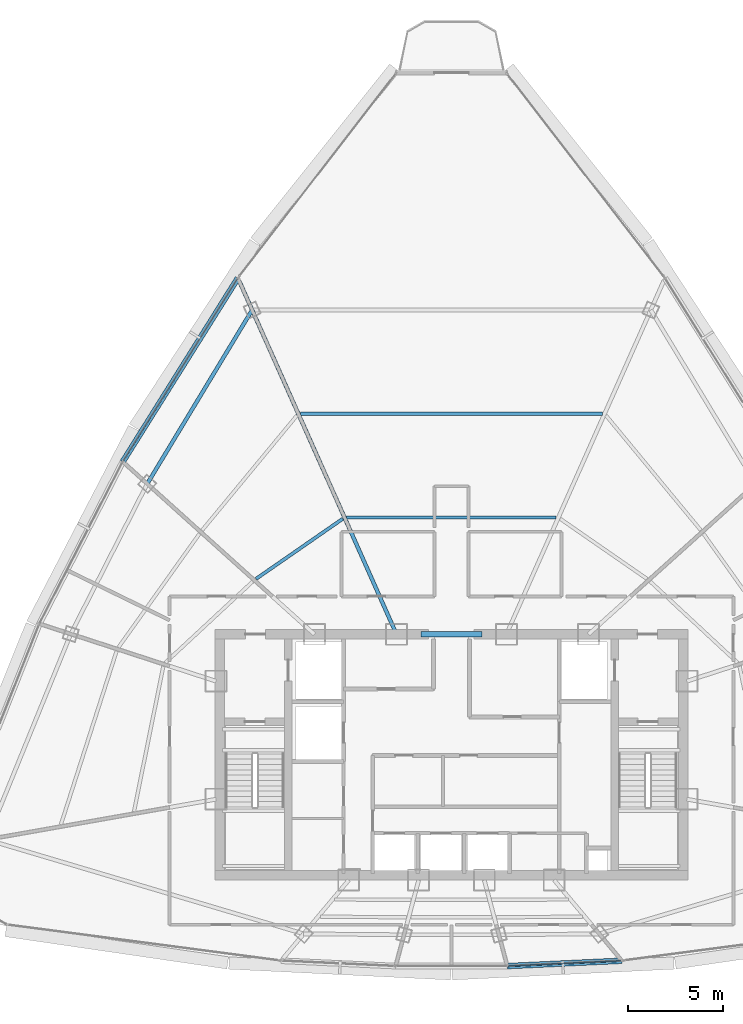
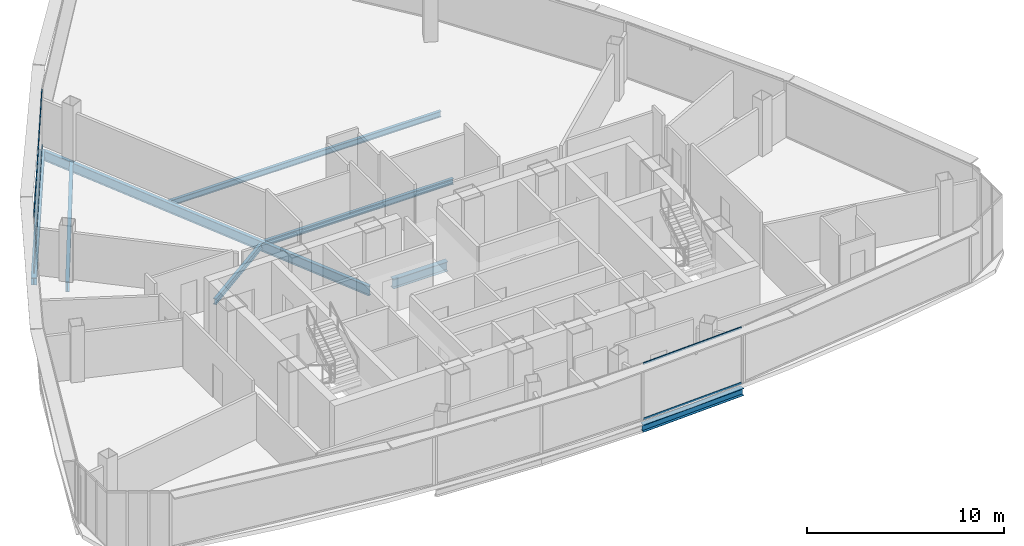
# One storey, part 9 of 29: 8 beams, 4 members, 2 elements without a shape of their own.
"""IFC4 building model written with IfcOpenShell, lengths in metres."""

from ifc_helpers import new_model, si_unit, direction, frame, origin, origin_2d, place, context, subcontext, project, spatial, hollow_rectangle, i_section, extrude, source, transform, mapped, material, layer, layer_set, material_profile, profile_set, type_object, element, aggregate, save


model = new_model("IFC4")

# Units and contexts
model_context = context("Model", 3, precision=1e-05, world=origin(), true_north=direction((0.0, 1.0)))
body_context = subcontext(model_context, "Body", "Model", "MODEL_VIEW")
ifc_project = project(units=[si_unit("LENGTHUNIT", "METRE"), si_unit("AREAUNIT", "SQUARE_METRE"), si_unit("VOLUMEUNIT", "CUBIC_METRE"), si_unit("PLANEANGLEUNIT", "RADIAN"), si_unit("MASSUNIT", "GRAM", prefix="KILO"), si_unit("THERMODYNAMICTEMPERATUREUNIT", "KELVIN"), si_unit("POWERUNIT", "WATT")], contexts=[model_context])

# Site, building, storey
site_placement = place(None, origin())
site = spatial("IfcSite", under=ifc_project, at=site_placement, CompositionType="ELEMENT")
building_placement = place(site_placement, origin())
building = spatial("IfcBuilding", under=site, at=building_placement, Name="Yunzhuo Pagoda Commons", CompositionType="ELEMENT")
storey_placement = place(building_placement, frame((0.0, 0.0, 363.010009765625)))
storey = spatial("IfcBuildingStorey", under=building, at=storey_placement, Name="L91", CompositionType="ELEMENT", Elevation=363.010009765625)

# Beams
ifc_material_1 = material(Name="Structural steel Q420B", Category="steel")
ifc_material_profile_1 = material_profile(ifc_material_1, i_section(OverallWidth=0.300048828125, OverallDepth=0.587890625, WebThickness=0.011962890625, FlangeThickness=0.02001953125, at=origin_2d()), Name="Structural steel Q420B")
ifc_profile_set_1 = profile_set([ifc_material_profile_1], Name="Structural steel Q420B")
beam_type_1 = type_object("IfcBeamType", Name="B-CPL Beam HM 588x300x12x20", PredefinedType="BEAM", material=ifc_profile_set_1)
shared_shape_1 = source(origin(), body_context, "Body", "SweptSolid", [
    extrude(i_section(OverallWidth=0.300048828125, OverallDepth=0.587890625, WebThickness=0.011962890625, FlangeThickness=0.02001953125, at=origin_2d()), origin(), (0.0, 0.0, 1.0), 3.2001953125),
])
beam_1_placement = place(storey_placement, frame((46.39990234375, 40.199951171875, -0.553955078125), z_axis=(1.0, 0.0, 0.0), x_axis=(0.0, 1.0, 0.0)))
element("IfcBeam", 1, at=beam_1_placement, inside=storey, type_object=beam_type_1, Name="L91 core coupling girder", PredefinedType="BEAM", context=body_context, shape_type="MappedRepresentation", body=[
    mapped(shared_shape_1, transform((0.0, 0.0, 0.0), scale=1.0)),
])
ifc_material_2 = material(Name="Structural steel Q355B", Category="steel")
ifc_material_profile_2 = material_profile(ifc_material_2, i_section(OverallWidth=0.199951171875, OverallDepth=0.60009765625, WebThickness=0.010986328125, FlangeThickness=0.01708984375, at=origin_2d()), Name="Structural steel Q355B")
ifc_profile_set_2 = profile_set([ifc_material_profile_2], Name="Structural steel Q355B")
beam_type_2 = type_object("IfcBeamType", Name="B-RG3 Beam HN 600x200x11x17", PredefinedType="BEAM", material=ifc_profile_set_2)
shared_shape_2 = source(origin(), body_context, "Body", "SweptSolid", [
    extrude(i_section(OverallWidth=0.199951171875, OverallDepth=0.60009765625, WebThickness=0.010986328125, FlangeThickness=0.01708984375, at=origin_2d()), origin(), (0.0, 0.0, 1.0), 10.691162109375),
])
beam_2_placement = place(storey_placement, frame((37.501220703125, 57.281005859375, -0.56005859375), z_axis=(-0.516864678433, -0.856067114301, 0.0), x_axis=(0.856067114301, -0.516864678433, 0.0)))
element("IfcBeam", 2, at=beam_2_placement, inside=storey, type_object=beam_type_2, Name="L91 column-ring beam 9", PredefinedType="BEAM", context=body_context, shape_type="MappedRepresentation", body=[
    mapped(shared_shape_2, transform((0.0, 0.0, 0.0), scale=1.0)),
])
ifc_material_profile_3 = material_profile(ifc_material_2, i_section(OverallWidth=0.175048828125, OverallDepth=0.35009765625, WebThickness=0.007080078125, FlangeThickness=0.010986328125, at=origin_2d()), Name="Structural steel Q355B")
ifc_profile_set_3 = profile_set([ifc_material_profile_3], Name="Structural steel Q355B")
beam_type_3 = type_object("IfcBeamType", Name="B-JS2 Joist HN 350x175x7x11", PredefinedType="JOIST", material=ifc_profile_set_3)
shared_shape_3 = source(origin(), body_context, "Body", "SweptSolid", [
    extrude(i_section(OverallWidth=0.175048828125, OverallDepth=0.35009765625, WebThickness=0.007080078125, FlangeThickness=0.010986328125, at=origin_2d()), origin(), (0.0, 0.0, 1.0), 5.556640625),
])
beam_3_placement = place(storey_placement, frame((42.273681640625, 46.28369140625, -0.43505859375), z_axis=(-0.822084621883, -0.569365326011, 0.0), x_axis=(0.569365326011, -0.822084621883, 0.0)))
element("IfcBeam", 3, at=beam_3_placement, inside=storey, type_object=beam_type_3, Name="L91 composite ring joist 1.9", PredefinedType="JOIST", context=body_context, shape_type="MappedRepresentation", body=[
    mapped(shared_shape_3, transform((0.0, 0.0, 0.0), scale=1.0)),
])
shared_shape_4 = source(origin(), body_context, "Body", "SweptSolid", [
    extrude(i_section(OverallWidth=0.175048828125, OverallDepth=0.35009765625, WebThickness=0.007080078125, FlangeThickness=0.010986328125, at=origin_2d()), origin(), (0.0, 0.0, 1.0), 11.03369140625),
])
beam_4_placement = place(storey_placement, frame((53.516845703125, 46.34912109375, -0.43505859375), z_axis=(-1.0, 0.0, 0.0), x_axis=(0.0, -1.0, 0.0)))
element("IfcBeam", 4, at=beam_4_placement, inside=storey, type_object=beam_type_3, Name="L91 composite ring joist 1.8", PredefinedType="JOIST", context=body_context, shape_type="MappedRepresentation", body=[
    mapped(shared_shape_4, transform((0.0, 0.0, 0.0), scale=1.0)),
])
shared_shape_5 = source(origin(), body_context, "Body", "SweptSolid", [
    extrude(i_section(OverallWidth=0.175048828125, OverallDepth=0.35009765625, WebThickness=0.007080078125, FlangeThickness=0.010986328125, at=origin_2d()), origin(), (0.0, 0.0, 1.0), 15.900390625),
])
beam_5_placement = place(storey_placement, frame((55.9501953125, 51.81494140625, -0.43505859375), z_axis=(-1.0, 0.0, 0.0), x_axis=(0.0, -1.0, 0.0)))
element("IfcBeam", 5, at=beam_5_placement, inside=storey, type_object=beam_type_3, Name="L91 composite ring joist 2.8", PredefinedType="JOIST", context=body_context, shape_type="MappedRepresentation", body=[
    mapped(shared_shape_5, transform((0.0, 0.0, 0.0), scale=1.0)),
])
shared_shape_6 = source(origin(), body_context, "Body", "SweptSolid", [
    extrude(i_section(OverallWidth=0.199951171875, OverallDepth=0.60009765625, WebThickness=0.010986328125, FlangeThickness=0.01708984375, at=origin_2d()), origin(), (0.0, 0.0, 1.0), 20.386474609375),
])
beam_6_placement = place(storey_placement, frame((36.814208984375, 58.823974609375, -0.56005859375), z_axis=(0.40672839734, -0.913549128836, 0.0), x_axis=(0.913549128836, 0.40672839734, 0.0)))
element("IfcBeam", 6, at=beam_6_placement, inside=storey, type_object=beam_type_2, Name="L91 radial floor girder F3C1", PredefinedType="BEAM", context=body_context, shape_type="MappedRepresentation", body=[
    mapped(shared_shape_6, transform((0.0, 0.0, 0.0), scale=1.0)),
])
ifc_material_profile_4 = material_profile(ifc_material_2, i_section(OverallWidth=0.300048828125, OverallDepth=0.43994140625, WebThickness=0.010986328125, FlangeThickness=0.01806640625, at=origin_2d()), Name="Structural steel Q355B")
ifc_profile_set_4 = profile_set([ifc_material_profile_4], Name="Structural steel Q355B")
beam_type_4 = type_object("IfcBeamType", Name="B-SP2 Beam HM 440x300x11x18", PredefinedType="BEAM", material=ifc_profile_set_4)
shared_shape_7 = source(origin(), body_context, "Body", "SweptSolid", [
    extrude(i_section(OverallWidth=0.300048828125, OverallDepth=0.43994140625, WebThickness=0.010986328125, FlangeThickness=0.01806640625, at=origin_2d()), origin(), (0.0, 0.0, 1.0), 6.039306640625),
])
beam_7_placement = place(storey_placement, frame((50.941162109375, 22.723388671875, -0.47998046875), z_axis=(0.998909369729, 0.046691231163, 0.0), x_axis=(-0.046691231163, 0.998909369729, 0.0)))
element("IfcBeam", 7, at=beam_7_placement, inside=storey, type_object=beam_type_4, Name="L91 facade edge spandrel beam F1.3", PredefinedType="BEAM", context=body_context, shape_type="MappedRepresentation", body=[
    mapped(shared_shape_7, transform((0.0, 0.0, 0.0), scale=1.0)),
])
shared_shape_8 = source(origin(), body_context, "Body", "SweptSolid", [
    extrude(i_section(OverallWidth=0.300048828125, OverallDepth=0.43994140625, WebThickness=0.010986328125, FlangeThickness=0.01806640625, at=origin_2d()), origin(), (0.0, 0.0, 1.0), 11.419677734375),
])
beam_8_placement = place(storey_placement, frame((36.7509765625, 58.965576171875, -0.47998046875), z_axis=(-0.53116107474, -0.847270861461, 0.0), x_axis=(0.847270861461, -0.53116107474, 0.0)))
element("IfcBeam", 8, at=beam_8_placement, inside=storey, type_object=beam_type_4, Name="L91 facade edge spandrel beam F3.1", PredefinedType="BEAM", context=body_context, shape_type="MappedRepresentation", body=[
    mapped(shared_shape_8, transform((0.0, 0.0, 0.0), scale=1.0)),
])

# Curtain wall, members
ifc_material_3 = material(Name="Anodized aluminium 6063-T6", Category="aluminium")
ifc_layer = layer(ifc_material_3, 0.139892578125)
ifc_layer_set = layer_set([ifc_layer], Name="Anodized aluminium 6063-T6")
curtain_wall_type = type_object("IfcCurtainWallType", Name="CW-HI High-Zone Ribbon Curtain Wall", PredefinedType="NOTDEFINED", material=ifc_layer_set)
curtain_wall_1_placement = place(storey_placement, origin())
curtain_wall_1 = element("IfcCurtainWall", 9, at=curtain_wall_1_placement, inside=storey, type_object=curtain_wall_type, Name="L91 curtain wall CW-L91-F1B4", PredefinedType="NOTDEFINED")
ifc_material_profile_5 = material_profile(ifc_material_3, hollow_rectangle(XDim=0.054931640625, YDim=0.1201171875, WallThickness=0.00341796875, at=origin_2d()), Name="Anodized aluminium 6063-T6")
ifc_profile_set_5 = profile_set([ifc_material_profile_5], Name="Anodized aluminium 6063-T6")
member_type = type_object("IfcMemberType", Name="CW-HI-T Transom RHS 120x55x3.5", PredefinedType="USERDEFINED", material=ifc_profile_set_5)
shared_shape_9 = source(origin(), body_context, "Body", "SweptSolid", [
    extrude(hollow_rectangle(XDim=0.054931640625, YDim=0.1201171875, WallThickness=0.00341796875, at=origin_2d()), origin(), (0.0, 0.0, 1.0), 5.919189453125),
])
member_1_placement = place(storey_placement, frame((51.001220703125, 22.72607421875, 0.027587890625), z_axis=(0.998905524307, 0.046773427391, 0.0), x_axis=(-0.046773427391, 0.998905524307, 0.0)))
member_1 = element("IfcMember", 10, at=member_1_placement, type_object=member_type, Name="CW transom 1.1", ObjectType="TRANSOM", PredefinedType="USERDEFINED", context=body_context, shape_type="MappedRepresentation", body=[
    mapped(shared_shape_9, transform((0.0, 0.0, 0.0), scale=1.0)),
])
member_2_placement = place(storey_placement, frame((51.001220703125, 22.72607421875, 3.4423828125), z_axis=(0.998905524307, 0.046773427391, 0.0), x_axis=(-0.046773427391, 0.998905524307, 0.0)))
member_2 = element("IfcMember", 11, at=member_2_placement, type_object=member_type, Name="CW transom 1.2", ObjectType="TRANSOM", PredefinedType="USERDEFINED", context=body_context, shape_type="MappedRepresentation", body=[
    mapped(shared_shape_9, transform((0.0, 0.0, 0.0), scale=1.0)),
])
aggregate(curtain_wall_1, [member_1, member_2])

curtain_wall_2_placement = place(storey_placement, origin())
curtain_wall_2 = element("IfcCurtainWall", 12, at=curtain_wall_2_placement, inside=storey, type_object=curtain_wall_type, Name="L91 curtain wall CW-L91-F3B2", PredefinedType="NOTDEFINED")
shared_shape_10 = source(origin(), body_context, "Body", "SweptSolid", [
    extrude(hollow_rectangle(XDim=0.054931640625, YDim=0.1201171875, WallThickness=0.00341796875, at=origin_2d()), origin(), (0.0, 0.0, 1.0), 11.2998046875),
])
member_3_placement = place(storey_placement, frame((36.71923828125, 58.914794921875, 0.027587890625), z_axis=(-0.531157876903, -0.847272866203, 0.0), x_axis=(0.847272866203, -0.531157876903, 0.0)))
member_3 = element("IfcMember", 13, at=member_3_placement, type_object=member_type, Name="CW transom 1.1", ObjectType="TRANSOM", PredefinedType="USERDEFINED", context=body_context, shape_type="MappedRepresentation", body=[
    mapped(shared_shape_10, transform((0.0, 0.0, 0.0), scale=1.0)),
])
member_4_placement = place(storey_placement, frame((36.71923828125, 58.914794921875, 3.4423828125), z_axis=(-0.531157876903, -0.847272866203, 0.0), x_axis=(0.847272866203, -0.531157876903, 0.0)))
member_4 = element("IfcMember", 14, at=member_4_placement, type_object=member_type, Name="CW transom 1.2", ObjectType="TRANSOM", PredefinedType="USERDEFINED", context=body_context, shape_type="MappedRepresentation", body=[
    mapped(shared_shape_10, transform((0.0, 0.0, 0.0), scale=1.0)),
])
aggregate(curtain_wall_2, [member_3, member_4])

save(model, "model.ifc")
